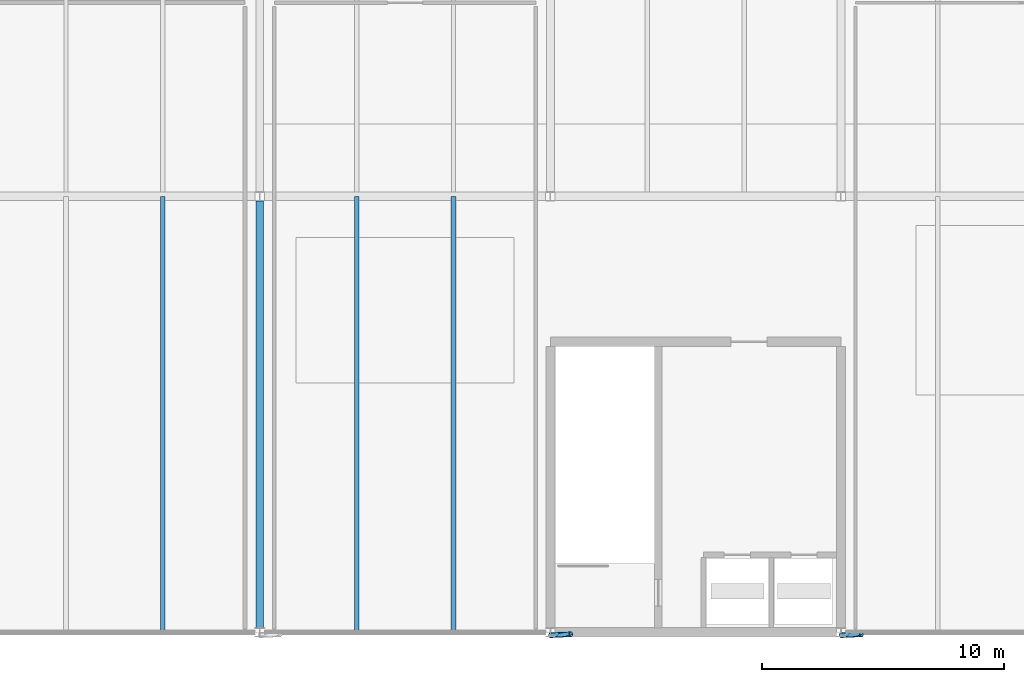
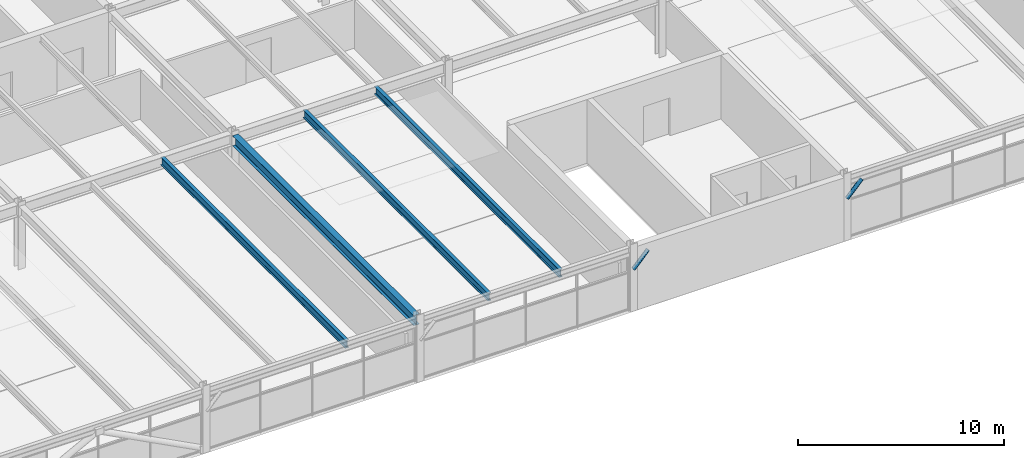
# One storey, part 15 of 52: 4 beams, 2 members.
"""IFC4 building model written with IfcOpenShell, lengths in metres."""

from ifc_helpers import new_model, si_unit, direction, frame, origin, origin_2d, place, context, subcontext, project, spatial, hollow_circle, i_section, extrude, material, material_profile, profile_set, type_object, element, save


model = new_model("IFC4")

# Units and contexts
model_context = context("Model", 3, precision=1e-05, world=origin(), true_north=direction((0.0, 1.0)))
body_context = subcontext(model_context, "Body", "Model", "MODEL_VIEW")
ifc_project = project(units=[si_unit("LENGTHUNIT", "METRE"), si_unit("AREAUNIT", "SQUARE_METRE"), si_unit("VOLUMEUNIT", "CUBIC_METRE"), si_unit("PLANEANGLEUNIT", "RADIAN"), si_unit("MASSUNIT", "GRAM", prefix="KILO")], contexts=[model_context])

# Site, building, storey
site_placement = place(None, origin())
site = spatial("IfcSite", under=ifc_project, at=site_placement, CompositionType="ELEMENT")
building_placement = place(site_placement, origin())
building = spatial("IfcBuilding", under=site, at=building_placement, Name="Girod Span Mobility Hub", CompositionType="ELEMENT")
storey_placement = place(building_placement, frame((0.0, 0.0, 45.60009765625)))
storey = spatial("IfcBuildingStorey", under=building, at=storey_placement, Name="L11", CompositionType="ELEMENT", Elevation=45.60009765625)

# Beams
ifc_material_1 = material(Name="Steel A992 Grade 50", Category="steel")
ifc_material_profile_1 = material_profile(ifc_material_1, i_section(OverallWidth=0.19189453125, OverallDepth=0.462890625, WebThickness=0.010498046875, FlangeThickness=0.017578125, FilletRadius=0.013916015625, at=origin_2d()), Name="W18X60")
ifc_profile_set_1 = profile_set([ifc_material_profile_1], Name="Steel A992 Grade 50")
beam_type_1 = type_object("IfcBeamType", Name="BM-STL-W18X60", PredefinedType="BEAM", material=ifc_profile_set_1)
for number, where, z_axis, x_axis, name in (
    (1, (56.0, 27.0048828125, 3.5283203125), (0.0, 1.0, 0.0), (-1.0, 0.0, 0.0), "Composite Floorbeam 5/C-2 L11"),
    (2, (64.0, 27.0048828125, 3.5283203125), (0.0, 1.0, 0.0), (-1.0, 0.0, 0.0), "Composite Floorbeam 6/C-1 L11"),
    (3, (68.0, 27.0048828125, 3.5283203125), (0.0, 1.0, 0.0), (-1.0, 0.0, 0.0), "Composite Floorbeam 6/C-2 L11"),
):
    element("IfcBeam", number, at=place(storey_placement, frame(where, z_axis=z_axis, x_axis=x_axis)), inside=storey, type_object=beam_type_1, Name=name, PredefinedType="BEAM", context=body_context, shape_type="SweptSolid", body=[
        extrude(i_section(OverallWidth=0.19189453125, OverallDepth=0.462890625, WebThickness=0.010498046875, FlangeThickness=0.017578125, FilletRadius=0.013916015625, at=origin_2d()), origin(), (0.0, 0.0, 1.0), 17.990234375),
    ])
ifc_material_2 = material(Name="Steel A992 Grade 50", Category="steel")
ifc_material_profile_2 = material_profile(ifc_material_2, i_section(OverallWidth=0.323974609375, OverallDepth=0.611083984375, WebThickness=0.0126953125, FlangeThickness=0.01904296875, FilletRadius=0.014892578125, at=origin_2d()), Name="W24X104")
ifc_profile_set_2 = profile_set([ifc_material_profile_2], Name="Steel A992 Grade 50")
beam_type_2 = type_object("IfcBeamType", Name="BM-STL-W24X104", PredefinedType="BEAM", material=ifc_profile_set_2)
beam_placement = place(storey_placement, frame((60.0, 27.1845703125, 3.454345703125), z_axis=(0.0, 1.0, 0.0), x_axis=(-1.0, 0.0, 0.0)))
element("IfcBeam", 4, at=beam_placement, inside=storey, type_object=beam_type_2, Name="Tie Girder 6/C-D L11", PredefinedType="BEAM", context=body_context, shape_type="SweptSolid", body=[
    extrude(i_section(OverallWidth=0.323974609375, OverallDepth=0.611083984375, WebThickness=0.0126953125, FlangeThickness=0.01904296875, FilletRadius=0.014892578125, at=origin_2d()), origin(), (0.0, 0.0, 1.0), 17.621826171875),
])

# Members
ifc_material_3 = material(Name="Steel HSS A500 Grade C", Category="steel")
ifc_material_profile_3 = material_profile(ifc_material_3, hollow_circle(Radius=0.109619140625, WallThickness=0.0087890625, at=origin_2d()), Name="HSS219X9.5")
ifc_profile_set_3 = profile_set([ifc_material_profile_3], Name="Steel HSS A500 Grade C")
member_type = type_object("IfcMemberType", Name="MB-ST-HSS219", PredefinedType="STRUT", material=ifc_profile_set_3)
for number, where, z_axis, x_axis, name in (
    (5, (72.0, 26.8798828125, 2.449951171875), (0.706816330442, 0.033290602583, 0.706613338963), (-0.047047213483, 0.998892666758, 0.0), "Solar Shading Knee Strut 7 L11"),
    (6, (84.0, 26.8798828125, 2.449951171875), (0.706816330442, 0.033290602583, 0.706613338963), (-0.047047213483, 0.998892666758, 0.0), "Solar Shading Knee Strut 8 L11"),
):
    element("IfcMember", number, at=place(storey_placement, frame(where, z_axis=z_axis, x_axis=x_axis)), inside=storey, type_object=member_type, Name=name, PredefinedType="STRUT", context=body_context, shape_type="SweptSolid", body=[
        extrude(hollow_circle(Radius=0.109619140625, WallThickness=0.0087890625, at=origin_2d()), origin(), (0.0, 0.0, 1.0), 1.20263671875),
    ])

save(model, "model.ifc")
